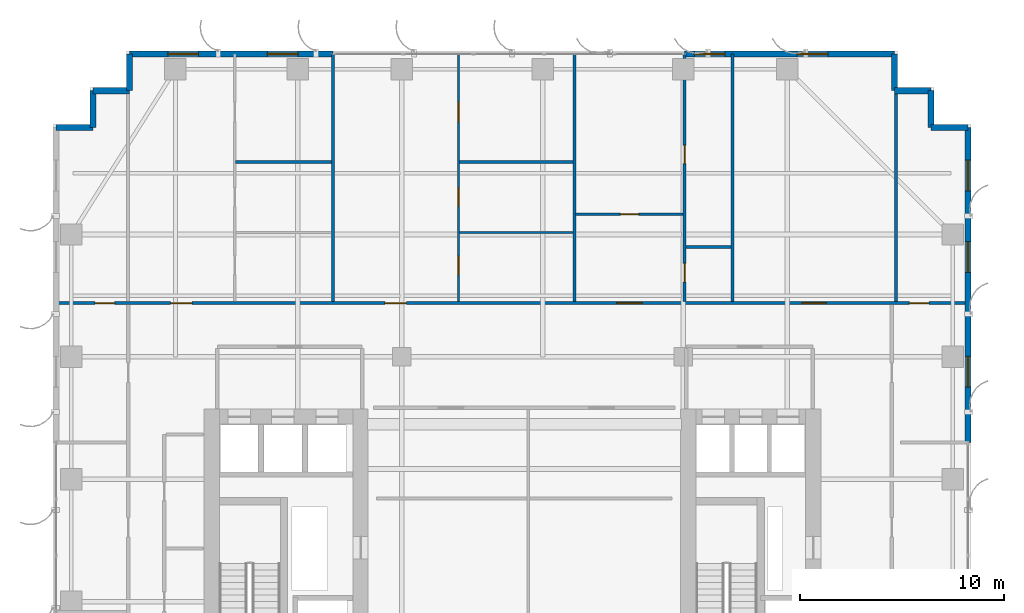
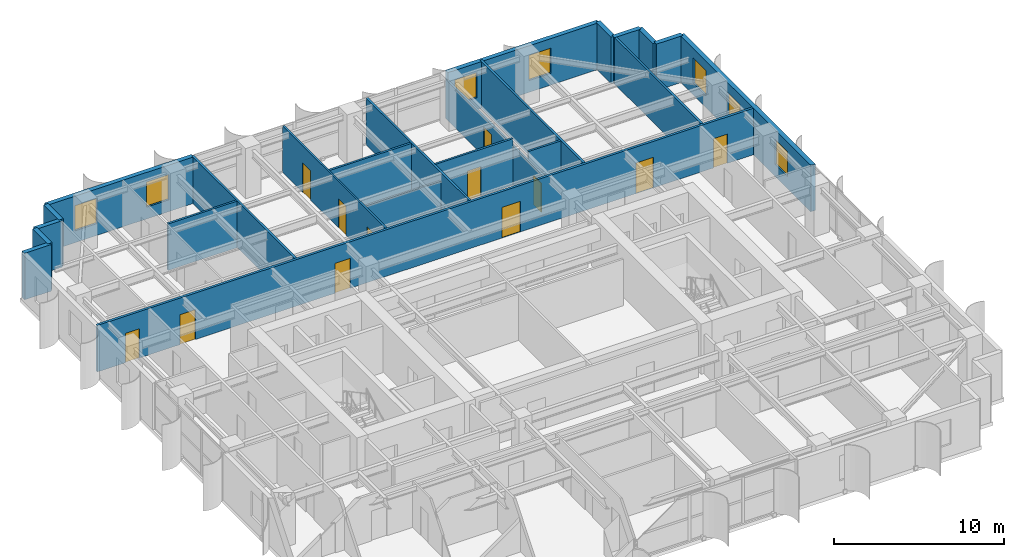
# One storey, part 17 of 21: 23 walls, 12 doors, 7 windows, 19 openings.
"""IFC4 building model written with IfcOpenShell, lengths in metres."""

from ifc_helpers import new_model, si_unit, direction, frame, frame_2d, origin, place, context, subcontext, project, spatial, rectangle, extrude, source, transform, mapped, material, layer, layer_set, type_object, element, fill, save


model = new_model("IFC4")

# Units and contexts
model_context = context("Model", 3, precision=1e-05, world=origin(), true_north=direction((0.0, 1.0)))
body_context = subcontext(model_context, "Body", "Model", "MODEL_VIEW")
ifc_project = project(units=[si_unit("LENGTHUNIT", "METRE"), si_unit("AREAUNIT", "SQUARE_METRE"), si_unit("VOLUMEUNIT", "CUBIC_METRE"), si_unit("PLANEANGLEUNIT", "RADIAN"), si_unit("MASSUNIT", "GRAM", prefix="KILO")], contexts=[model_context])

# Site, building, storey
site_placement = place(None, origin())
site = spatial("IfcSite", under=ifc_project, at=site_placement, CompositionType="ELEMENT")
building_placement = place(site_placement, origin())
building = spatial("IfcBuilding", under=site, at=building_placement, Name="Khoralis Quay Care Tower", CompositionType="ELEMENT")
storey_placement = place(building_placement, frame((0.0, 0.0, 112.5)))
storey = spatial("IfcBuildingStorey", under=building, at=storey_placement, Name="L29", CompositionType="ELEMENT", Elevation=112.5)

# Wall, openings, doors
ifc_material_1 = material(Name="Gypsum plasterboard on acoustic metal stud")
ifc_layer_1 = layer(ifc_material_1, 0.1650390625)
ifc_layer_set_1 = layer_set([ifc_layer_1], Name="Gypsum plasterboard on acoustic metal stud")
wall_type_1 = type_object("IfcWallType", Name="WL-CORR-165", PredefinedType="PARTITIONING", material=ifc_layer_set_1)
wall_1_placement = place(storey_placement, frame((0.14501953125, 32.639892578125, 0.0), z_axis=(0.0, 0.0, 1.0), x_axis=(1.0, 0.0, 0.0)))
wall_1 = element("IfcWall", 1, at=wall_1_placement, inside=storey, type_object=wall_type_1, Name="L29 North Main Corridor Wall", PredefinedType="PARTITIONING", context=body_context, shape_type="SweptSolid", body=[
    extrude(rectangle(XDim=44.7099609375, YDim=0.1650390625, at=frame_2d((22.35498046875, 0.0))), origin(), (0.0, 0.0, 1.0), 3.340087890625),
])
opening_1_placement = place(wall_1_placement, frame((5.62060546875, 0.0, 0.0)))
opening_1 = element("IfcOpeningElement", 2, at=opening_1_placement, cuts=wall_1, Name="Opening UD1", PredefinedType="OPENING", context=body_context, shape_type="SweptSolid", body=[
    extrude(rectangle(XDim=1.050048828125, YDim=2.14990234375, at=frame_2d((0.52490234375, 1.074951171875))), frame((0.0, 0.092529296875, 0.0), z_axis=(0.0, -1.0, 0.0), x_axis=(1.0, 0.0, 0.0)), (0.0, 0.0, 1.0), 0.18505859375),
])
opening_2_placement = place(wall_1_placement, frame((16.12841796875, 0.0, 0.0)))
opening_2 = element("IfcOpeningElement", 3, at=opening_2_placement, cuts=wall_1, Name="Opening UD1", PredefinedType="OPENING", context=body_context, shape_type="SweptSolid", body=[
    extrude(rectangle(XDim=1.050048828125, YDim=2.14990234375, at=frame_2d((0.52490234375, 1.074951171875))), frame((0.0, 0.092529296875, 0.0), z_axis=(0.0, -1.0, 0.0), x_axis=(1.0, 0.0, 0.0)), (0.0, 0.0, 1.0), 0.18505859375),
])
opening_3_placement = place(wall_1_placement, frame((27.489990234375, 0.0, 0.0)))
opening_3 = element("IfcOpeningElement", 4, at=opening_3_placement, cuts=wall_1, Name="Opening CD1", PredefinedType="OPENING", context=body_context, shape_type="SweptSolid", body=[
    extrude(rectangle(XDim=1.25, YDim=2.199951171875, at=frame_2d((0.625, 1.10009765625))), frame((0.0, 0.092529296875, 0.0), z_axis=(0.0, -1.0, 0.0), x_axis=(1.0, 0.0, 0.0)), (0.0, 0.0, 1.0), 0.18505859375),
])
opening_4_placement = place(wall_1_placement, frame((36.570068359375, 0.0, 0.0)))
opening_4 = element("IfcOpeningElement", 5, at=opening_4_placement, cuts=wall_1, Name="Opening FD1", PredefinedType="OPENING", context=body_context, shape_type="SweptSolid", body=[
    extrude(rectangle(XDim=1.199951171875, YDim=2.199951171875, at=frame_2d((0.60009765625, 1.10009765625))), frame((0.0, 0.092529296875, 0.0), z_axis=(0.0, -1.0, 0.0), x_axis=(1.0, 0.0, 0.0)), (0.0, 0.0, 1.0), 0.18505859375),
])
opening_5_placement = place(wall_1_placement, frame((1.919921875, 0.0, 0.0)))
opening_5 = element("IfcOpeningElement", 6, at=opening_5_placement, cuts=wall_1, Name="Opening ID1", PredefinedType="OPENING", context=body_context, shape_type="SweptSolid", body=[
    extrude(rectangle(XDim=0.949951171875, YDim=2.10009765625, at=frame_2d((0.47509765625, 1.050048828125))), frame((0.0, 0.092529296875, 0.0), z_axis=(0.0, -1.0, 0.0), x_axis=(1.0, 0.0, 0.0)), (0.0, 0.0, 1.0), 0.18505859375),
])
opening_6_placement = place(wall_1_placement, frame((41.840087890625, 0.0, 0.0)))
opening_6 = element("IfcOpeningElement", 7, at=opening_6_placement, cuts=wall_1, Name="Opening ID1", PredefinedType="OPENING", context=body_context, shape_type="SweptSolid", body=[
    extrude(rectangle(XDim=0.949951171875, YDim=2.10009765625, at=frame_2d((0.47509765625, 1.050048828125))), frame((0.0, 0.092529296875, 0.0), z_axis=(0.0, -1.0, 0.0), x_axis=(1.0, 0.0, 0.0)), (0.0, 0.0, 1.0), 0.18505859375),
])
ifc_material_2 = material(Name="Fire-rated painted steel", Category="steel")
door_type_1 = type_object("IfcDoorType", Name="DR-FFL-1200X2200", OperationType="NOTDEFINED", PredefinedType="DOOR", material=ifc_material_2)
shared_shape_1 = source(origin(), body_context, "Body", "SweptSolid", [
    extrude(rectangle(XDim=1.199951171875, YDim=2.199951171875, at=frame_2d((0.60009765625, 1.10009765625))), frame((0.0, 0.02490234375, 0.0), z_axis=(0.0, -1.0, 0.0), x_axis=(1.0, 0.0, 0.0)), (0.0, 0.0, 1.0), 0.050048828125),
])
door_1_placement = place(opening_4_placement, origin())
door_1 = element("IfcDoor", 8, at=door_1_placement, inside=storey, type_object=door_type_1, Name="L29 Assisted Communal Dining Room Door", OperationType="DOUBLE_DOOR_SINGLE_SWING", OverallHeight=2.199951171875, OverallWidth=1.199951171875, PredefinedType="DOOR", context=body_context, shape_type="MappedRepresentation", body=[
    mapped(shared_shape_1, transform((0.0, 0.0, 0.0), scale=1.0)),
])
fill(opening_4, door_1)
ifc_material_3 = material(Name="Acoustic hardwood timber", Category="wood")
door_type_2 = type_object("IfcDoorType", Name="DR-CARE-1250X2200", OperationType="NOTDEFINED", PredefinedType="DOOR", material=ifc_material_3)
shared_shape_2 = source(origin(), body_context, "Body", "SweptSolid", [
    extrude(rectangle(XDim=1.25, YDim=2.199951171875, at=frame_2d((0.625, 1.10009765625))), frame((0.0, 0.02490234375, 0.0), z_axis=(0.0, -1.0, 0.0), x_axis=(1.0, 0.0, 0.0)), (0.0, 0.0, 1.0), 0.050048828125),
])
door_2_placement = place(opening_3_placement, origin())
door_2 = element("IfcDoor", 9, at=door_2_placement, inside=storey, type_object=door_type_2, Name="L29 Care Suite NB2 Clinical Door", OperationType="SINGLE_SWING_LEFT", OverallHeight=2.199951171875, OverallWidth=1.25, PredefinedType="DOOR", context=body_context, shape_type="MappedRepresentation", body=[
    mapped(shared_shape_2, transform((0.0, 0.0, 0.0), scale=1.0)),
])
fill(opening_3, door_2)
door_type_3 = type_object("IfcDoorType", Name="DR-ROOM-950X2100", OperationType="NOTDEFINED", PredefinedType="DOOR", material=ifc_material_3)
shared_shape_3 = source(origin(), body_context, "Body", "SweptSolid", [
    extrude(rectangle(XDim=0.949951171875, YDim=2.10009765625, at=frame_2d((0.47509765625, 1.050048828125))), frame((0.0, 0.02490234375, 0.0), z_axis=(0.0, -1.0, 0.0), x_axis=(1.0, 0.0, 0.0)), (0.0, 0.0, 1.0), 0.050048828125),
])
door_3_placement = place(opening_5_placement, origin())
door_3 = element("IfcDoor", 10, at=door_3_placement, inside=storey, type_object=door_type_3, Name="L29 NW Corner Door", OperationType="SINGLE_SWING_RIGHT", OverallHeight=2.10009765625, OverallWidth=0.949951171875, PredefinedType="DOOR", context=body_context, shape_type="MappedRepresentation", body=[
    mapped(shared_shape_3, transform((0.0, 0.0, 0.0), scale=1.0)),
])
fill(opening_5, door_3)
door_4_placement = place(opening_6_placement, origin())
door_4 = element("IfcDoor", 11, at=door_4_placement, inside=storey, type_object=door_type_3, Name="L29 NE Corner Door", OperationType="SINGLE_SWING_LEFT", OverallHeight=2.10009765625, OverallWidth=0.949951171875, PredefinedType="DOOR", context=body_context, shape_type="MappedRepresentation", body=[
    mapped(shared_shape_3, transform((0.0, 0.0, 0.0), scale=1.0)),
])
fill(opening_6, door_4)
door_type_4 = type_object("IfcDoorType", Name="DR-SUITE-1050X2150", OperationType="NOTDEFINED", PredefinedType="DOOR", material=ifc_material_3)
shared_shape_4 = source(origin(), body_context, "Body", "SweptSolid", [
    extrude(rectangle(XDim=1.050048828125, YDim=2.14990234375, at=frame_2d((0.52490234375, 1.074951171875))), frame((0.0, 0.02490234375, 0.0), z_axis=(0.0, -1.0, 0.0), x_axis=(1.0, 0.0, 0.0)), (0.0, 0.0, 1.0), 0.050048828125),
])
door_5_placement = place(opening_1_placement, origin())
door_5 = element("IfcDoor", 12, at=door_5_placement, inside=storey, type_object=door_type_4, Name="L29 Apartment NB0 Entrance Door", OperationType="SINGLE_SWING_LEFT", OverallHeight=2.14990234375, OverallWidth=1.050048828125, PredefinedType="DOOR", context=body_context, shape_type="MappedRepresentation", body=[
    mapped(shared_shape_4, transform((0.0, 0.0, 0.0), scale=1.0)),
])
fill(opening_1, door_5)
door_6_placement = place(opening_2_placement, origin())
door_6 = element("IfcDoor", 13, at=door_6_placement, inside=storey, type_object=door_type_4, Name="L29 Apartment NB1 Entrance Door", OperationType="SINGLE_SWING_RIGHT", OverallHeight=2.14990234375, OverallWidth=1.050048828125, PredefinedType="DOOR", context=body_context, shape_type="MappedRepresentation", body=[
    mapped(shared_shape_4, transform((0.0, 0.0, 0.0), scale=1.0)),
])
fill(opening_2, door_6)

# Wall, openings, windows
ifc_material_4 = material(Name="Precast concrete C45/55", Category="concrete")
ifc_layer_2 = layer(ifc_material_4, 0.300048828125)
ifc_layer_set_2 = layer_set([ifc_layer_2], Name="Precast concrete C45/55")
wall_type_2 = type_object("IfcWallType", Name="WL-EXT-REF-300", PredefinedType="SOLIDWALL", material=ifc_layer_set_2)
wall_2_placement = place(storey_placement, frame((44.85009765625, 25.800048828125, 0.0), z_axis=(0.0, 0.0, 1.0), x_axis=(0.0, 1.0, 0.0)))
wall_2 = element("IfcWall", 14, at=wall_2_placement, inside=storey, type_object=wall_type_2, Name="L29 External Facade Wall WL-EXT-L29-P1-E5B", PredefinedType="SOLIDWALL", context=body_context, shape_type="SweptSolid", body=[
    extrude(rectangle(XDim=15.449951171875, YDim=0.300048828125, at=frame_2d((7.72509765625, 0.0))), origin(), (0.0, 0.0, 1.0), 3.340087890625),
])
opening_7_placement = place(wall_2_placement, frame((2.719970703125, 0.0, 0.85009765625)))
opening_7 = element("IfcOpeningElement", 15, at=opening_7_placement, cuts=wall_2, Name="Opening W3", PredefinedType="OPENING", context=body_context, shape_type="SweptSolid", body=[
    extrude(rectangle(XDim=1.5, YDim=1.800048828125, at=frame_2d((0.75, 0.89990234375))), frame((0.0, 0.16015625, 0.0), z_axis=(0.0, -1.0, 0.0), x_axis=(1.0, 0.0, 0.0)), (0.0, 0.0, 1.0), 0.320068359375),
])
opening_8_placement = place(wall_2_placement, frame((8.347412109375, 0.0, 0.85009765625)))
opening_8 = element("IfcOpeningElement", 16, at=opening_8_placement, cuts=wall_2, Name="Opening W3", PredefinedType="OPENING", context=body_context, shape_type="SweptSolid", body=[
    extrude(rectangle(XDim=1.5, YDim=1.800048828125, at=frame_2d((0.75, 0.89990234375))), frame((0.0, 0.16015625, 0.0), z_axis=(0.0, -1.0, 0.0), x_axis=(1.0, 0.0, 0.0)), (0.0, 0.0, 1.0), 0.320068359375),
])
opening_9_placement = place(wall_2_placement, frame((12.342529296875, 0.0, 0.85009765625)))
opening_9 = element("IfcOpeningElement", 17, at=opening_9_placement, cuts=wall_2, Name="Opening W3", PredefinedType="OPENING", context=body_context, shape_type="SweptSolid", body=[
    extrude(rectangle(XDim=1.5, YDim=1.800048828125, at=frame_2d((0.75, 0.89990234375))), frame((0.0, 0.16015625, 0.0), z_axis=(0.0, -1.0, 0.0), x_axis=(1.0, 0.0, 0.0)), (0.0, 0.0, 1.0), 0.320068359375),
])
ifc_material_5 = material(Name="Low-E solar-control double glazing", Category="glass")
window_type = type_object("IfcWindowType", Name="WN-CLIN-1500X1800", PartitioningType="SINGLE_PANEL", PredefinedType="WINDOW", material=ifc_material_5)
shared_shape_5 = source(origin(), body_context, "Body", "SweptSolid", [
    extrude(rectangle(XDim=1.5, YDim=1.800048828125, at=frame_2d((0.75, 0.89990234375))), frame((0.0, 0.030029296875, 0.0), z_axis=(0.0, -1.0, 0.0), x_axis=(1.0, 0.0, 0.0)), (0.0, 0.0, 1.0), 0.06005859375),
])
window_1_placement = place(opening_7_placement, origin())
window_1 = element("IfcWindow", 18, at=window_1_placement, inside=storey, type_object=window_type, Name="WN-L29-P1-E5B Facade Window 01", OverallHeight=1.800048828125, OverallWidth=1.5, PartitioningType="SINGLE_PANEL", PredefinedType="WINDOW", context=body_context, shape_type="MappedRepresentation", body=[
    mapped(shared_shape_5, transform((0.0, 0.0, 0.0), scale=1.0)),
])
fill(opening_7, window_1)
window_2_placement = place(opening_8_placement, origin())
window_2 = element("IfcWindow", 19, at=window_2_placement, inside=storey, type_object=window_type, Name="WN-L29-P1-E5B Facade Window 02", OverallHeight=1.800048828125, OverallWidth=1.5, PartitioningType="SINGLE_PANEL", PredefinedType="WINDOW", context=body_context, shape_type="MappedRepresentation", body=[
    mapped(shared_shape_5, transform((0.0, 0.0, 0.0), scale=1.0)),
])
fill(opening_8, window_2)
window_3_placement = place(opening_9_placement, origin())
window_3 = element("IfcWindow", 20, at=window_3_placement, inside=storey, type_object=window_type, Name="WN-L29-P1-E5B Facade Window 03", OverallHeight=1.800048828125, OverallWidth=1.5, PartitioningType="SINGLE_PANEL", PredefinedType="WINDOW", context=body_context, shape_type="MappedRepresentation", body=[
    mapped(shared_shape_5, transform((0.0, 0.0, 0.0), scale=1.0)),
])
fill(opening_9, window_3)

# Walls
for number, where, z_axis, x_axis, name in (
    (21, (44.85009765625, 41.25, 0.0), (0.0, 0.0, 1.0), (-1.0, 0.0, 0.0), "L29 External Facade Wall WL-EXT-L29-P1-C6"),
    (22, (43.050048828125, 41.25, 0.0), (0.0, 0.0, 1.0), (0.0, 1.0, 0.0), "L29 External Facade Wall WL-EXT-L29-P1-C7"),
    (23, (43.050048828125, 43.050048828125, 0.0), (0.0, 0.0, 1.0), (-1.0, 0.0, 0.0), "L29 External Facade Wall WL-EXT-L29-P1-C8"),
    (24, (41.25, 43.050048828125, 0.0), (0.0, 0.0, 1.0), (0.0, 1.0, 0.0), "L29 External Facade Wall WL-EXT-L29-P1-C9"),
):
    element("IfcWall", number, at=place(storey_placement, frame(where, z_axis=z_axis, x_axis=x_axis)), inside=storey, type_object=wall_type_2, Name=name, PredefinedType="SOLIDWALL", context=body_context, shape_type="SweptSolid", body=[
        extrude(rectangle(XDim=1.800048828125, YDim=0.300048828125, at=frame_2d((0.89990234375, 0.0))), origin(), (0.0, 0.0, 1.0), 3.340087890625),
    ])

# Wall, openings, windows
wall_3_placement = place(storey_placement, frame((41.25, 44.85009765625, 0.0), z_axis=(0.0, 0.0, 1.0), x_axis=(-1.0, 0.0, 0.0)))
wall_3 = element("IfcWall", 25, at=wall_3_placement, inside=storey, type_object=wall_type_2, Name="L29 External Facade Wall WL-EXT-L29-P1-E10A", PredefinedType="SOLIDWALL", context=body_context, shape_type="SweptSolid", body=[
    extrude(rectangle(XDim=10.2900390625, YDim=0.300048828125, at=frame_2d((5.14501953125, 0.0))), origin(), (0.0, 0.0, 1.0), 3.340087890625),
])
opening_10_placement = place(wall_3_placement, frame((3.27001953125, 0.0, 0.85009765625)))
opening_10 = element("IfcOpeningElement", 26, at=opening_10_placement, cuts=wall_3, Name="Opening W3", PredefinedType="OPENING", context=body_context, shape_type="SweptSolid", body=[
    extrude(rectangle(XDim=1.5, YDim=1.800048828125, at=frame_2d((0.75, 0.89990234375))), frame((0.0, 0.16015625, 0.0), z_axis=(0.0, -1.0, 0.0), x_axis=(1.0, 0.0, 0.0)), (0.0, 0.0, 1.0), 0.320068359375),
])
opening_11_placement = place(wall_3_placement, frame((8.31494140625, 0.0, 0.85009765625)))
opening_11 = element("IfcOpeningElement", 27, at=opening_11_placement, cuts=wall_3, Name="Opening W3", PredefinedType="OPENING", context=body_context, shape_type="SweptSolid", body=[
    extrude(rectangle(XDim=1.5, YDim=1.800048828125, at=frame_2d((0.75, 0.89990234375))), frame((0.0, 0.16015625, 0.0), z_axis=(0.0, -1.0, 0.0), x_axis=(1.0, 0.0, 0.0)), (0.0, 0.0, 1.0), 0.320068359375),
])
window_4_placement = place(opening_10_placement, origin())
window_4 = element("IfcWindow", 28, at=window_4_placement, inside=storey, type_object=window_type, Name="WN-L29-P1-E10A Facade Window 01", OverallHeight=1.800048828125, OverallWidth=1.5, PartitioningType="SINGLE_PANEL", PredefinedType="WINDOW", context=body_context, shape_type="MappedRepresentation", body=[
    mapped(shared_shape_5, transform((0.0, 0.0, 0.0), scale=1.0)),
])
fill(opening_10, window_4)
window_5_placement = place(opening_11_placement, origin())
window_5 = element("IfcWindow", 29, at=window_5_placement, inside=storey, type_object=window_type, Name="WN-L29-P1-E10A Facade Window 02", OverallHeight=1.800048828125, OverallWidth=1.5, PartitioningType="SINGLE_PANEL", PredefinedType="WINDOW", context=body_context, shape_type="MappedRepresentation", body=[
    mapped(shared_shape_5, transform((0.0, 0.0, 0.0), scale=1.0)),
])
fill(opening_11, window_5)

wall_4_placement = place(storey_placement, frame((13.719970703125, 44.85009765625, 0.0), z_axis=(0.0, 0.0, 1.0), x_axis=(-1.0, 0.0, 0.0)))
wall_4 = element("IfcWall", 30, at=wall_4_placement, inside=storey, type_object=wall_type_2, Name="L29 External Facade Wall WL-EXT-L29-P1-E10B", PredefinedType="SOLIDWALL", context=body_context, shape_type="SweptSolid", body=[
    extrude(rectangle(XDim=9.969970703125, YDim=0.300048828125, at=frame_2d((4.98486328125, 0.0))), origin(), (0.0, 0.0, 1.0), 3.340087890625),
])
opening_12_placement = place(wall_4_placement, frame((1.70947265625, 0.0, 0.85009765625)))
opening_12 = element("IfcOpeningElement", 31, at=opening_12_placement, cuts=wall_4, Name="Opening W3", PredefinedType="OPENING", context=body_context, shape_type="SweptSolid", body=[
    extrude(rectangle(XDim=1.5, YDim=1.800048828125, at=frame_2d((0.75, 0.89990234375))), frame((0.0, 0.16015625, 0.0), z_axis=(0.0, -1.0, 0.0), x_axis=(1.0, 0.0, 0.0)), (0.0, 0.0, 1.0), 0.320068359375),
])
opening_13_placement = place(wall_4_placement, frame((6.594482421875, 0.0, 0.85009765625)))
opening_13 = element("IfcOpeningElement", 32, at=opening_13_placement, cuts=wall_4, Name="Opening W3", PredefinedType="OPENING", context=body_context, shape_type="SweptSolid", body=[
    extrude(rectangle(XDim=1.5, YDim=1.800048828125, at=frame_2d((0.75, 0.89990234375))), frame((0.0, 0.16015625, 0.0), z_axis=(0.0, -1.0, 0.0), x_axis=(1.0, 0.0, 0.0)), (0.0, 0.0, 1.0), 0.320068359375),
])
window_6_placement = place(opening_12_placement, origin())
window_6 = element("IfcWindow", 33, at=window_6_placement, inside=storey, type_object=window_type, Name="WN-L29-P1-E10B Facade Window 01", OverallHeight=1.800048828125, OverallWidth=1.5, PartitioningType="SINGLE_PANEL", PredefinedType="WINDOW", context=body_context, shape_type="MappedRepresentation", body=[
    mapped(shared_shape_5, transform((0.0, 0.0, 0.0), scale=1.0)),
])
fill(opening_12, window_6)
window_7_placement = place(opening_13_placement, origin())
window_7 = element("IfcWindow", 34, at=window_7_placement, inside=storey, type_object=window_type, Name="WN-L29-P1-E10B Facade Window 02", OverallHeight=1.800048828125, OverallWidth=1.5, PartitioningType="SINGLE_PANEL", PredefinedType="WINDOW", context=body_context, shape_type="MappedRepresentation", body=[
    mapped(shared_shape_5, transform((0.0, 0.0, 0.0), scale=1.0)),
])
fill(opening_13, window_7)

# Walls
for number, where, z_axis, x_axis, name in (
    (35, (3.75, 44.85009765625, 0.0), (0.0, 0.0, 1.0), (0.0, -1.0, 0.0), "L29 External Facade Wall WL-EXT-L29-P1-C11"),
    (36, (3.75, 43.050048828125, 0.0), (0.0, 0.0, 1.0), (-1.0, 0.0, 0.0), "L29 External Facade Wall WL-EXT-L29-P1-C12"),
    (37, (1.949951171875, 43.050048828125, 0.0), (0.0, 0.0, 1.0), (0.0, -1.0, 0.0), "L29 External Facade Wall WL-EXT-L29-P1-C13"),
    (38, (1.949951171875, 41.25, 0.0), (0.0, 0.0, 1.0), (-1.0, 0.0, 0.0), "L29 External Facade Wall WL-EXT-L29-P1-C14"),
):
    element("IfcWall", number, at=place(storey_placement, frame(where, z_axis=z_axis, x_axis=x_axis)), inside=storey, type_object=wall_type_2, Name=name, PredefinedType="SOLIDWALL", context=body_context, shape_type="SweptSolid", body=[
        extrude(rectangle(XDim=1.800048828125, YDim=0.300048828125, at=frame_2d((0.89990234375, 0.0))), origin(), (0.0, 0.0, 1.0), 3.340087890625),
    ])

# Wall, openings, doors
ifc_layer_3 = layer(ifc_material_1, 0.114990234375)
ifc_layer_set_3 = layer_set([ifc_layer_3], Name="Gypsum plasterboard on acoustic metal stud")
wall_type_3 = type_object("IfcWallType", Name="WL-PART-115", PredefinedType="PARTITIONING", material=ifc_layer_set_3)
wall_5_placement = place(storey_placement, frame((19.876953125, 32.717529296875, 0.0), z_axis=(0.0, 0.0, 1.0), x_axis=(0.0, 1.0, 0.0)))
wall_5 = element("IfcWall", 39, at=wall_5_placement, inside=storey, type_object=wall_type_3, Name="L29 Unit 1 Internal Wall", PredefinedType="PARTITIONING", context=body_context, shape_type="SweptSolid", body=[
    extrude(rectangle(XDim=12.137451171875, YDim=0.114990234375, at=frame_2d((6.06884765625, 0.0))), origin(), (0.0, 0.0, 1.0), 3.340087890625),
])
opening_14_placement = place(wall_5_placement, frame((8.8134765625, 0.0, 0.0)))
opening_14 = element("IfcOpeningElement", 40, at=opening_14_placement, cuts=wall_5, Name="Opening ID1", PredefinedType="OPENING", context=body_context, shape_type="SweptSolid", body=[
    extrude(rectangle(XDim=0.949951171875, YDim=2.10009765625, at=frame_2d((0.47509765625, 1.050048828125))), frame((0.0, 0.0673828125, 0.0), z_axis=(0.0, -1.0, 0.0), x_axis=(1.0, 0.0, 0.0)), (0.0, 0.0, 1.0), 0.135009765625),
])
opening_15_placement = place(wall_5_placement, frame((4.6640625, 0.0, 0.0)))
opening_15 = element("IfcOpeningElement", 41, at=opening_15_placement, cuts=wall_5, Name="Opening WD1", PredefinedType="OPENING", context=body_context, shape_type="SweptSolid", body=[
    extrude(rectangle(XDim=0.89990234375, YDim=2.10009765625, at=frame_2d((0.449951171875, 1.050048828125))), frame((0.0, 0.0673828125, 0.0), z_axis=(0.0, -1.0, 0.0), x_axis=(1.0, 0.0, 0.0)), (0.0, 0.0, 1.0), 0.135009765625),
])
opening_16_placement = place(wall_5_placement, frame((1.318115234375, 0.0, 0.0)))
opening_16 = element("IfcOpeningElement", 42, at=opening_16_placement, cuts=wall_5, Name="Opening WD1", PredefinedType="OPENING", context=body_context, shape_type="SweptSolid", body=[
    extrude(rectangle(XDim=0.89990234375, YDim=2.10009765625, at=frame_2d((0.449951171875, 1.050048828125))), frame((0.0, 0.0673828125, 0.0), z_axis=(0.0, -1.0, 0.0), x_axis=(1.0, 0.0, 0.0)), (0.0, 0.0, 1.0), 0.135009765625),
])
door_type_5 = type_object("IfcDoorType", Name="DR-BATH-900X2100", OperationType="NOTDEFINED", PredefinedType="DOOR", material=ifc_material_3)
shared_shape_6 = source(origin(), body_context, "Body", "SweptSolid", [
    extrude(rectangle(XDim=0.89990234375, YDim=2.10009765625, at=frame_2d((0.449951171875, 1.050048828125))), frame((0.0, 0.02490234375, 0.0), z_axis=(0.0, -1.0, 0.0), x_axis=(1.0, 0.0, 0.0)), (0.0, 0.0, 1.0), 0.050048828125),
])
door_7_placement = place(opening_15_placement, frame((0.89990234375, 0.0, 0.0), z_axis=(0.0, 0.0, 1.0), x_axis=(-1.0, 0.0, 0.0)))
door_7 = element("IfcDoor", 43, at=door_7_placement, inside=storey, type_object=door_type_5, Name="L29 Apartment NB1 KIT Door", OperationType="SINGLE_SWING_RIGHT", OverallHeight=2.10009765625, OverallWidth=0.89990234375, PredefinedType="DOOR", context=body_context, shape_type="MappedRepresentation", body=[
    mapped(shared_shape_6, transform((0.0, 0.0, 0.0), scale=1.0)),
])
fill(opening_15, door_7)
door_8_placement = place(opening_16_placement, frame((0.89990234375, 0.0, 0.0), z_axis=(0.0, 0.0, 1.0), x_axis=(-1.0, 0.0, 0.0)))
door_8 = element("IfcDoor", 44, at=door_8_placement, inside=storey, type_object=door_type_5, Name="L29 Apartment NB1 BTH Door", OperationType="SINGLE_SWING_LEFT", OverallHeight=2.10009765625, OverallWidth=0.89990234375, PredefinedType="DOOR", context=body_context, shape_type="MappedRepresentation", body=[
    mapped(shared_shape_6, transform((0.0, 0.0, 0.0), scale=1.0)),
])
fill(opening_16, door_8)
door_9_placement = place(opening_14_placement, frame((0.949951171875, 0.0, 0.0), z_axis=(0.0, 0.0, 1.0), x_axis=(-1.0, 0.0, 0.0)))
door_9 = element("IfcDoor", 45, at=door_9_placement, inside=storey, type_object=door_type_3, Name="L29 Apartment NB1 BED Door", OperationType="SINGLE_SWING_LEFT", OverallHeight=2.10009765625, OverallWidth=0.949951171875, PredefinedType="DOOR", context=body_context, shape_type="MappedRepresentation", body=[
    mapped(shared_shape_3, transform((0.0, 0.0, 0.0), scale=1.0)),
])
fill(opening_14, door_9)

# Walls
wall_6_placement = place(storey_placement, frame((19.929443359375, 36.10107421875, 0.0), z_axis=(0.0, 0.0, 1.0), x_axis=(1.0, 0.0, 0.0)))
element("IfcWall", 46, at=wall_6_placement, inside=storey, type_object=wall_type_3, Name="L29 Unit 1 Kitchen Wall", PredefinedType="PARTITIONING", context=body_context, shape_type="SweptSolid", body=[
    extrude(rectangle(XDim=5.565673828125, YDim=0.114990234375, at=frame_2d((2.78271484375, 0.0))), origin(), (0.0, 0.0, 1.0), 2.722900390625),
])
ifc_material_6 = material(Name="Moisture-resistant gypsum and ceramic tile")
ifc_layer_4 = layer(ifc_material_6, 0.280029296875)
ifc_layer_set_4 = layer_set([ifc_layer_4], Name="Moisture-resistant gypsum and ceramic tile")
wall_type_4 = type_object("IfcWallType", Name="WL-PLUMB-280", PredefinedType="PLUMBINGWALL", material=ifc_layer_set_4)
wall_7_placement = place(storey_placement, frame((8.95361328125, 39.56201171875, 0.0), z_axis=(0.0, 0.0, 1.0), x_axis=(1.0, 0.0, 0.0)))
element("IfcWall", 47, at=wall_7_placement, inside=storey, type_object=wall_type_4, Name="L29 Unit 0 Wet Wall", PredefinedType="PLUMBINGWALL", context=body_context, shape_type="SweptSolid", body=[
    extrude(rectangle(XDim=4.701416015625, YDim=0.139892578125, at=frame_2d((2.3505859375, 0.0))), origin(), (0.0, 0.0, 1.0), 3.340087890625),
])
wall_8_placement = place(storey_placement, frame((19.929443359375, 39.56201171875, 0.0), z_axis=(0.0, 0.0, 1.0), x_axis=(1.0, 0.0, 0.0)))
element("IfcWall", 48, at=wall_8_placement, inside=storey, type_object=wall_type_4, Name="L29 Unit 1 Wet Wall", PredefinedType="PLUMBINGWALL", context=body_context, shape_type="SweptSolid", body=[
    extrude(rectangle(XDim=5.565673828125, YDim=0.139892578125, at=frame_2d((2.78271484375, 0.0))), origin(), (0.0, 0.0, 1.0), 3.340087890625),
])

# Wall, openings, doors
wall_9_placement = place(storey_placement, frame((30.9599609375, 32.717529296875, 0.0), z_axis=(0.0, 0.0, 1.0), x_axis=(0.0, 1.0, 0.0)))
wall_9 = element("IfcWall", 49, at=wall_9_placement, inside=storey, type_object=wall_type_4, Name="L29 Care Suite 2 En-Suite Wall V", PredefinedType="PLUMBINGWALL", context=body_context, shape_type="SweptSolid", body=[
    extrude(rectangle(XDim=12.137451171875, YDim=0.139892578125, at=frame_2d((6.06884765625, 0.0))), origin(), (0.0, 0.0, 1.0), 2.7958984375),
])
opening_17_placement = place(wall_9_placement, frame((0.96240234375, 0.0, 0.0)))
opening_17 = element("IfcOpeningElement", 50, at=opening_17_placement, cuts=wall_9, Name="Opening WD1", PredefinedType="OPENING", context=body_context, shape_type="SweptSolid", body=[
    extrude(rectangle(XDim=0.89990234375, YDim=2.10009765625, at=frame_2d((0.449951171875, 1.050048828125))), frame((0.0, 0.080078125, 0.0), z_axis=(0.0, -1.0, 0.0), x_axis=(1.0, 0.0, 0.0)), (0.0, 0.0, 1.0), 0.159912109375),
])
opening_18_placement = place(wall_9_placement, frame((6.75244140625, 0.0, 0.0)))
opening_18 = element("IfcOpeningElement", 51, at=opening_18_placement, cuts=wall_9, Name="Opening WD1", PredefinedType="OPENING", context=body_context, shape_type="SweptSolid", body=[
    extrude(rectangle(XDim=0.89990234375, YDim=2.10009765625, at=frame_2d((0.449951171875, 1.050048828125))), frame((0.0, 0.080078125, 0.0), z_axis=(0.0, -1.0, 0.0), x_axis=(1.0, 0.0, 0.0)), (0.0, 0.0, 1.0), 0.159912109375),
])
door_10_placement = place(opening_17_placement, frame((0.89990234375, 0.0, 0.0), z_axis=(0.0, 0.0, 1.0), x_axis=(-1.0, 0.0, 0.0)))
door_10 = element("IfcDoor", 52, at=door_10_placement, inside=storey, type_object=door_type_5, Name="L29 Care CENS Door", OperationType="SINGLE_SWING_RIGHT", OverallHeight=2.10009765625, OverallWidth=0.89990234375, PredefinedType="DOOR", context=body_context, shape_type="MappedRepresentation", body=[
    mapped(shared_shape_6, transform((0.0, 0.0, 0.0), scale=1.0)),
])
fill(opening_17, door_10)
door_11_placement = place(opening_18_placement, frame((0.89990234375, 0.0, 0.0), z_axis=(0.0, 0.0, 1.0), x_axis=(-1.0, 0.0, 0.0)))
door_11 = element("IfcDoor", 53, at=door_11_placement, inside=storey, type_object=door_type_5, Name="L29 Care CSIT Door", OperationType="SINGLE_SWING_LEFT", OverallHeight=2.10009765625, OverallWidth=0.89990234375, PredefinedType="DOOR", context=body_context, shape_type="MappedRepresentation", body=[
    mapped(shared_shape_6, transform((0.0, 0.0, 0.0), scale=1.0)),
])
fill(opening_18, door_11)

# Walls
wall_10_placement = place(storey_placement, frame((31.02490234375, 35.389892578125, 0.0), z_axis=(0.0, 0.0, 1.0), x_axis=(1.0, 0.0, 0.0)))
element("IfcWall", 54, at=wall_10_placement, inside=storey, type_object=wall_type_4, Name="L29 Care Suite 2 En-Suite Wall H", PredefinedType="PLUMBINGWALL", context=body_context, shape_type="SweptSolid", body=[
    extrude(rectangle(XDim=2.22021484375, YDim=0.139892578125, at=frame_2d((1.110107421875, 0.0))), origin(), (0.0, 0.0, 1.0), 3.340087890625),
])
ifc_layer_5 = layer(ifc_material_1, 0.139892578125)
ifc_layer_set_5 = layer_set([ifc_layer_5], Name="Gypsum plasterboard on acoustic metal stud")
wall_type_5 = type_object("IfcWallType", Name="WL-UNIT-140", PredefinedType="PARTITIONING", material=ifc_layer_set_5)
for number, where, z_axis, x_axis, name in (
    (55, (13.719970703125, 32.717529296875, 0.0), (0.0, 0.0, 1.0), (0.0, 1.0, 0.0), "L29 NB Demising Wall 1"),
    (56, (25.56005859375, 32.717529296875, 0.0), (0.0, 0.0, 1.0), (0.0, 1.0, 0.0), "L29 NB Demising Wall 2"),
    (57, (33.31005859375, 32.717529296875, 0.0), (0.0, 0.0, 1.0), (0.0, 1.0, 0.0), "L29 NB Demising Wall 3"),
):
    element("IfcWall", number, at=place(storey_placement, frame(where, z_axis=z_axis, x_axis=x_axis)), inside=storey, type_object=wall_type_5, Name=name, PredefinedType="PARTITIONING", context=body_context, shape_type="SweptSolid", body=[
        extrude(rectangle(XDim=12.137451171875, YDim=0.139892578125, at=frame_2d((6.06884765625, 0.0))), origin(), (0.0, 0.0, 1.0), 3.340087890625),
    ])
wall_11_placement = place(storey_placement, frame((41.320068359375, 32.717529296875, 0.0), z_axis=(0.0, 0.0, 1.0), x_axis=(0.0, 1.0, 0.0)))
element("IfcWall", 58, at=wall_11_placement, inside=storey, type_object=wall_type_5, Name="L29 NB Demising Wall 4", PredefinedType="PARTITIONING", context=body_context, shape_type="SweptSolid", body=[
    extrude(rectangle(XDim=10.33740234375, YDim=0.139892578125, at=frame_2d((5.168701171875, 0.0))), origin(), (0.0, 0.0, 1.0), 3.340087890625),
])

# Wall, opening, door
wall_12_placement = place(storey_placement, frame((25.625, 36.989990234375, 0.0), z_axis=(0.0, 0.0, 1.0), x_axis=(1.0, 0.0, 0.0)))
wall_12 = element("IfcWall", 59, at=wall_12_placement, inside=storey, type_object=wall_type_5, Name="Skilled Care Bedroom L29-NB2 Sub-Partition", PredefinedType="PARTITIONING", context=body_context, shape_type="SweptSolid", body=[
    extrude(rectangle(XDim=5.27001953125, YDim=0.139892578125, at=frame_2d((2.635009765625, 0.0))), origin(), (0.0, 0.0, 1.0), 3.340087890625),
])
opening_19_placement = place(wall_12_placement, frame((2.18505859375, 0.0, 0.0)))
opening_19 = element("IfcOpeningElement", 60, at=opening_19_placement, cuts=wall_12, Name="Opening WD1", PredefinedType="OPENING", context=body_context, shape_type="SweptSolid", body=[
    extrude(rectangle(XDim=0.89990234375, YDim=2.10009765625, at=frame_2d((0.449951171875, 1.050048828125))), frame((0.0, 0.080078125, 0.0), z_axis=(0.0, -1.0, 0.0), x_axis=(1.0, 0.0, 0.0)), (0.0, 0.0, 1.0), 0.159912109375),
])
door_12_placement = place(opening_19_placement, frame((0.89990234375, 0.0, 0.0), z_axis=(0.0, 0.0, 1.0), x_axis=(-1.0, 0.0, 0.0)))
door_12 = element("IfcDoor", 61, at=door_12_placement, inside=storey, type_object=door_type_5, Name="Private Study & Reading Alcove ARE2 Door", OperationType="SINGLE_SWING_LEFT", OverallHeight=2.10009765625, OverallWidth=0.89990234375, PredefinedType="DOOR", context=body_context, shape_type="MappedRepresentation", body=[
    mapped(shared_shape_6, transform((0.0, 0.0, 0.0), scale=1.0)),
])
fill(opening_19, door_12)

save(model, "model.ifc")
